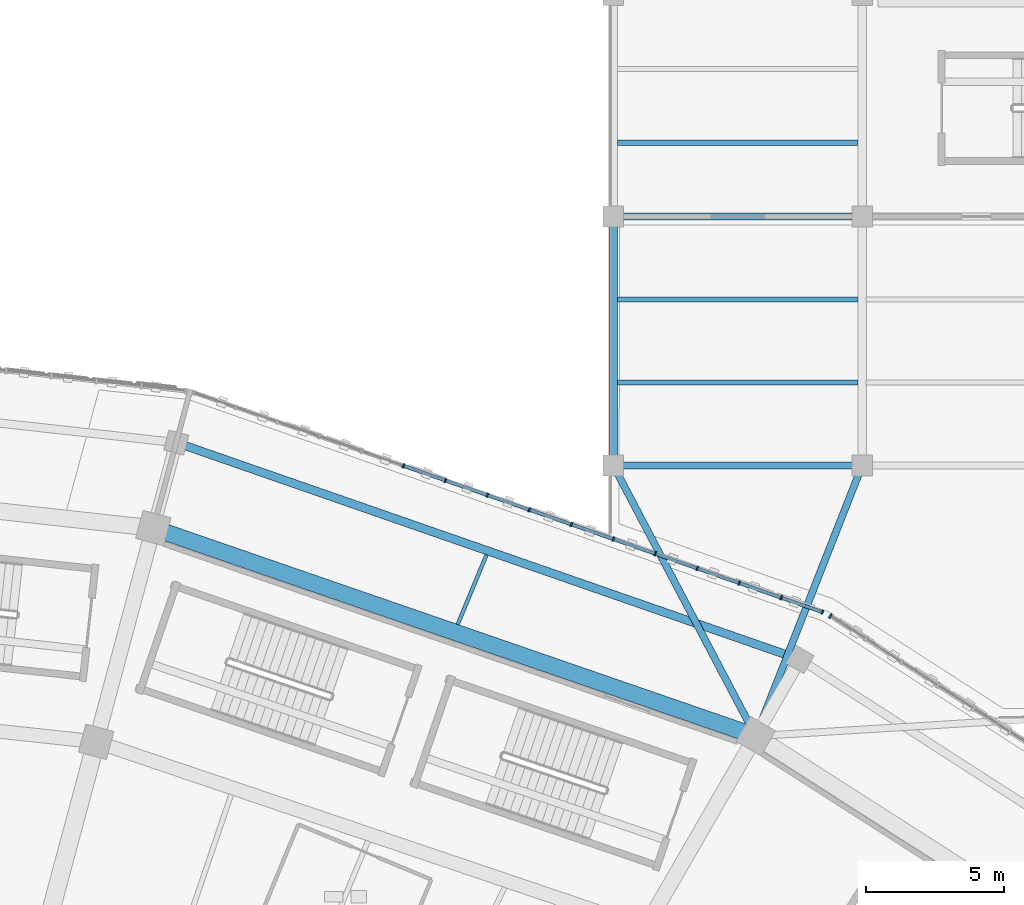
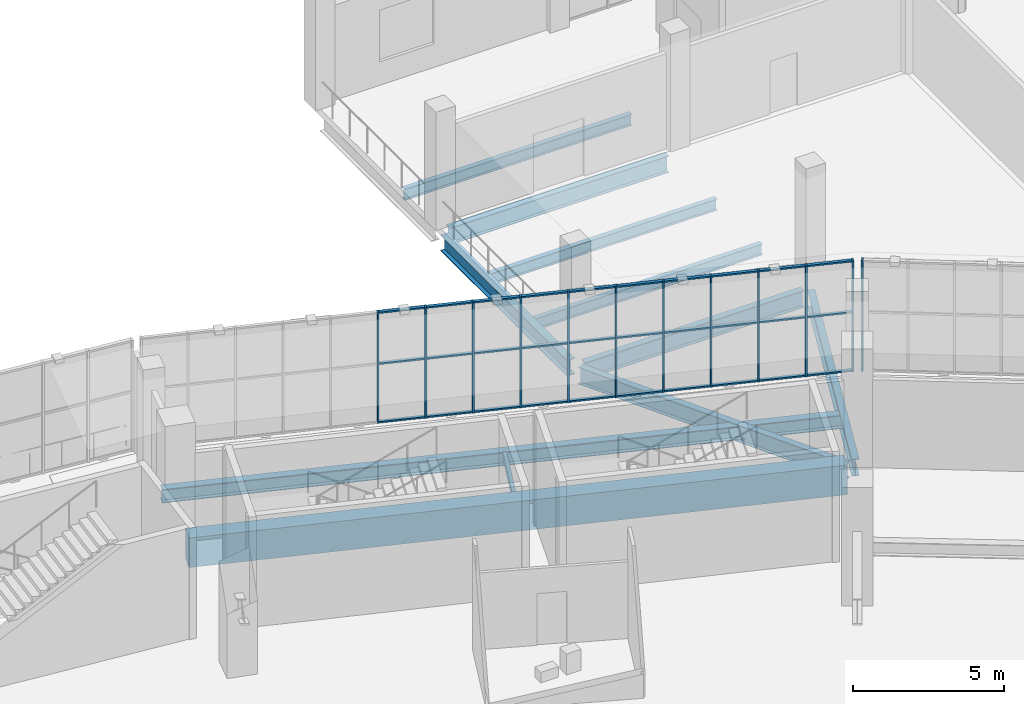
# One storey, part 68 of 179: 42 members, 11 beams, 2 elements without a shape of their own.
"""IFC4 building model written with IfcOpenShell, lengths in metres."""

from ifc_helpers import new_model, si_unit, direction, frame, origin, origin_2d, place, context, subcontext, project, spatial, rectangle, i_section, extrude, material, material_profile, profile_set, type_object, element, aggregate, save


model = new_model("IFC4")

# Units and contexts
model_context = context("Model", 3, precision=1e-05, world=origin(), true_north=direction((0.0, 1.0)))
body_context = subcontext(model_context, "Body", "Model", "MODEL_VIEW")
ifc_project = project(units=[si_unit("LENGTHUNIT", "METRE"), si_unit("AREAUNIT", "SQUARE_METRE"), si_unit("VOLUMEUNIT", "CUBIC_METRE"), si_unit("PLANEANGLEUNIT", "RADIAN"), si_unit("MASSUNIT", "GRAM", prefix="KILO")], contexts=[model_context])

# Site, building, storey
site_placement = place(None, origin())
site = spatial("IfcSite", under=ifc_project, at=site_placement, CompositionType="ELEMENT")
building_placement = place(site_placement, origin())
building = spatial("IfcBuilding", under=site, at=building_placement, Name="Zevraka Park Crest Stadium", CompositionType="ELEMENT")
storey_placement = place(building_placement, frame((0.0, 0.0, 10.199951171875)))
storey = spatial("IfcBuildingStorey", under=building, at=storey_placement, Name="L02", CompositionType="ELEMENT", Elevation=10.199951171875)

# Beams
ifc_material_1 = material(Name="Steel S355", Category="steel")
ifc_material_profile_1 = material_profile(ifc_material_1, i_section(OverallWidth=0.253662109375, OverallDepth=0.68359375, WebThickness=0.012451171875, FlangeThickness=0.01904296875, at=origin_2d()), Name="UKB 686x254x140")
ifc_profile_set_1 = profile_set([ifc_material_profile_1], Name="Steel S355")
beam_type_1 = type_object("IfcBeamType", Name="BG05", PredefinedType="BEAM", material=ifc_profile_set_1)
beam_1_placement = place(storey_placement, frame((152.300048828125, 167.0, -0.629638671875), z_axis=(1.0, 0.0, 0.0), x_axis=(0.0, 1.0, 0.0)))
element("IfcBeam", 1, at=beam_1_placement, inside=storey, type_object=beam_type_1, Name="Wing Girder BG05 L02-1718/U", PredefinedType="BEAM", context=body_context, shape_type="SweptSolid", body=[
    extrude(i_section(OverallWidth=0.253662109375, OverallDepth=0.68359375, WebThickness=0.012451171875, FlangeThickness=0.01904296875, at=origin_2d()), origin(), (0.0, 0.0, 1.0), 8.39990234375),
])
beam_2_placement = place(storey_placement, frame((152.093017578125, 166.822998046875, -0.629638671875), z_axis=(0.465623535035, -0.884982894536, 0.0), x_axis=(0.884982894536, 0.465623535035, 0.0)))
element("IfcBeam", 2, at=beam_2_placement, inside=storey, type_object=beam_type_1, Name="Wing Link Girder BG05 L02-17/U", PredefinedType="BEAM", context=body_context, shape_type="SweptSolid", body=[
    extrude(i_section(OverallWidth=0.253662109375, OverallDepth=0.68359375, WebThickness=0.012451171875, FlangeThickness=0.01904296875, at=origin_2d()), origin(), (0.0, 0.0, 1.0), 10.480224609375),
])
beam_3_placement = place(storey_placement, frame((152.300048828125, 176.0, -0.629638671875), z_axis=(1.0, 0.0, 0.0), x_axis=(0.0, 1.0, 0.0)))
element("IfcBeam", 3, at=beam_3_placement, inside=storey, type_object=beam_type_1, Name="Wing Girder BG05 L02-1718/V", PredefinedType="BEAM", context=body_context, shape_type="SweptSolid", body=[
    extrude(i_section(OverallWidth=0.253662109375, OverallDepth=0.68359375, WebThickness=0.012451171875, FlangeThickness=0.01904296875, at=origin_2d()), origin(), (0.0, 0.0, 1.0), 8.39990234375),
])
beam_4_placement = place(storey_placement, frame((160.927001953125, 166.81396484375, -0.629638671875), z_axis=(-0.366068857267, -0.930587766812, 0.0), x_axis=(0.930587766812, -0.366068857267, 0.0)))
element("IfcBeam", 4, at=beam_4_placement, inside=storey, type_object=beam_type_1, Name="Wing Link Girder BG05 L02-18/U", PredefinedType="BEAM", context=body_context, shape_type="SweptSolid", body=[
    extrude(i_section(OverallWidth=0.253662109375, OverallDepth=0.68359375, WebThickness=0.012451171875, FlangeThickness=0.01904296875, at=origin_2d()), origin(), (0.0, 0.0, 1.0), 9.937744140625),
])
ifc_material_2 = material(Name="Steel S355", Category="steel")
ifc_material_profile_2 = material_profile(ifc_material_2, i_section(OverallWidth=0.300048828125, OverallDepth=0.64990234375, WebThickness=0.01611328125, FlangeThickness=0.031005859375, at=origin_2d()), Name="HEB 650")
ifc_profile_set_2 = profile_set([ifc_material_profile_2], Name="Steel S355")
beam_type_2 = type_object("IfcBeamType", Name="BG07", PredefinedType="BEAM", material=ifc_profile_set_2)
beam_5_placement = place(storey_placement, frame((152.0, 167.300048828125, -0.613037109375), z_axis=(0.0, 1.0, 0.0), x_axis=(-1.0, 0.0, 0.0)))
element("IfcBeam", 5, at=beam_5_placement, inside=storey, type_object=beam_type_2, Name="Wing Girder BG07 L02-17/UV", PredefinedType="BEAM", context=body_context, shape_type="SweptSolid", body=[
    extrude(i_section(OverallWidth=0.300048828125, OverallDepth=0.64990234375, WebThickness=0.01611328125, FlangeThickness=0.031005859375, at=origin_2d()), origin(), (0.0, 0.0, 1.0), 8.39990234375),
])

# Curtain wall, members
ifc_material_3 = material(Name="Anodised architectural aluminium and laminated safety glass", Category="aluminium")
curtain_wall_type_1 = type_object("IfcCurtainWallType", Name="CW07", PredefinedType="NOTDEFINED", material=ifc_material_3)
curtain_wall_1_placement = place(storey_placement, origin())
curtain_wall_1 = element("IfcCurtainWall", 6, at=curtain_wall_1_placement, inside=storey, type_object=curtain_wall_type_1, Name="Unitised Ring Curtain Wall CW07 L02-04", PredefinedType="NOTDEFINED")
ifc_material_4 = material(Name="Anodised architectural aluminium", Category="aluminium")
ifc_material_profile_3 = material_profile(ifc_material_4, rectangle(XDim=0.159912109375, YDim=0.06005859375, at=origin_2d()), Name="ALU MULLION 160x60")
ifc_profile_set_3 = profile_set([ifc_material_profile_3], Name="Anodised architectural aluminium")
member_type_1 = type_object("IfcMemberType", Name="CM01", PredefinedType="MULLION", material=ifc_profile_set_3)
member_1_placement = place(storey_placement, frame((159.562744140625, 161.69580078125, 0.0), z_axis=(0.0, 0.0, 1.0), x_axis=(-0.329618886002, -0.944114076789, 0.0)))
member_1 = element("IfcMember", 7, at=member_1_placement, type_object=member_type_1, Name="CW07 mullion 1", PredefinedType="MULLION", context=body_context, shape_type="SweptSolid", body=[
    extrude(rectangle(XDim=0.159912109375, YDim=0.06005859375, at=origin_2d()), origin(), (0.0, 0.0, 1.0), 4.5),
])
member_2_placement = place(storey_placement, frame((158.0732421875, 162.2158203125, 0.0), z_axis=(0.0, 0.0, 1.0), x_axis=(-0.329618886002, -0.944114076789, 0.0)))
member_2 = element("IfcMember", 8, at=member_2_placement, type_object=member_type_1, Name="CW07 mullion 2", PredefinedType="MULLION", context=body_context, shape_type="SweptSolid", body=[
    extrude(rectangle(XDim=0.159912109375, YDim=0.06005859375, at=origin_2d()), origin(), (0.0, 0.0, 1.0), 4.5),
])
member_3_placement = place(storey_placement, frame((156.55517578125, 162.745849609375, 0.0), z_axis=(0.0, 0.0, 1.0), x_axis=(-0.329618886002, -0.944114076789, 0.0)))
member_3 = element("IfcMember", 9, at=member_3_placement, type_object=member_type_1, Name="CW07 mullion 3", PredefinedType="MULLION", context=body_context, shape_type="SweptSolid", body=[
    extrude(rectangle(XDim=0.159912109375, YDim=0.06005859375, at=origin_2d()), origin(), (0.0, 0.0, 1.0), 4.5),
])
member_4_placement = place(storey_placement, frame((155.037353515625, 163.27587890625, 0.0), z_axis=(0.0, 0.0, 1.0), x_axis=(-0.329618886002, -0.944114076789, 0.0)))
member_4 = element("IfcMember", 10, at=member_4_placement, type_object=member_type_1, Name="CW07 mullion 4", PredefinedType="MULLION", context=body_context, shape_type="SweptSolid", body=[
    extrude(rectangle(XDim=0.159912109375, YDim=0.06005859375, at=origin_2d()), origin(), (0.0, 0.0, 1.0), 4.5),
])
member_5_placement = place(storey_placement, frame((153.51953125, 163.8056640625, 0.0), z_axis=(0.0, 0.0, 1.0), x_axis=(-0.329618886002, -0.944114076789, 0.0)))
member_5 = element("IfcMember", 11, at=member_5_placement, type_object=member_type_1, Name="CW07 mullion 5", PredefinedType="MULLION", context=body_context, shape_type="SweptSolid", body=[
    extrude(rectangle(XDim=0.159912109375, YDim=0.06005859375, at=origin_2d()), origin(), (0.0, 0.0, 1.0), 4.5),
])
member_6_placement = place(storey_placement, frame((152.001708984375, 164.335693359375, 0.0), z_axis=(0.0, 0.0, 1.0), x_axis=(-0.329618886002, -0.944114076789, 0.0)))
member_6 = element("IfcMember", 12, at=member_6_placement, type_object=member_type_1, Name="CW07 mullion 6", PredefinedType="MULLION", context=body_context, shape_type="SweptSolid", body=[
    extrude(rectangle(XDim=0.159912109375, YDim=0.06005859375, at=origin_2d()), origin(), (0.0, 0.0, 1.0), 4.5),
])
member_7_placement = place(storey_placement, frame((150.48388671875, 164.865478515625, 0.0), z_axis=(0.0, 0.0, 1.0), x_axis=(-0.329618886002, -0.944114076789, 0.0)))
member_7 = element("IfcMember", 13, at=member_7_placement, type_object=member_type_1, Name="CW07 mullion 7", PredefinedType="MULLION", context=body_context, shape_type="SweptSolid", body=[
    extrude(rectangle(XDim=0.159912109375, YDim=0.06005859375, at=origin_2d()), origin(), (0.0, 0.0, 1.0), 4.5),
])
member_8_placement = place(storey_placement, frame((148.9658203125, 165.3955078125, 0.0), z_axis=(0.0, 0.0, 1.0), x_axis=(-0.329618886002, -0.944114076789, 0.0)))
member_8 = element("IfcMember", 14, at=member_8_placement, type_object=member_type_1, Name="CW07 mullion 8", PredefinedType="MULLION", context=body_context, shape_type="SweptSolid", body=[
    extrude(rectangle(XDim=0.159912109375, YDim=0.06005859375, at=origin_2d()), origin(), (0.0, 0.0, 1.0), 4.5),
])
member_9_placement = place(storey_placement, frame((147.447998046875, 165.925537109375, 0.0), z_axis=(0.0, 0.0, 1.0), x_axis=(-0.329618886002, -0.944114076789, 0.0)))
member_9 = element("IfcMember", 15, at=member_9_placement, type_object=member_type_1, Name="CW07 mullion 9", PredefinedType="MULLION", context=body_context, shape_type="SweptSolid", body=[
    extrude(rectangle(XDim=0.159912109375, YDim=0.06005859375, at=origin_2d()), origin(), (0.0, 0.0, 1.0), 4.5),
])
member_10_placement = place(storey_placement, frame((145.93017578125, 166.455322265625, 0.0), z_axis=(0.0, 0.0, 1.0), x_axis=(-0.329618886002, -0.944114076789, 0.0)))
member_10 = element("IfcMember", 16, at=member_10_placement, type_object=member_type_1, Name="CW07 mullion 10", PredefinedType="MULLION", context=body_context, shape_type="SweptSolid", body=[
    extrude(rectangle(XDim=0.159912109375, YDim=0.06005859375, at=origin_2d()), origin(), (0.0, 0.0, 1.0), 4.5),
])
member_11_placement = place(storey_placement, frame((144.412353515625, 166.9853515625, 0.0), z_axis=(0.0, 0.0, 1.0), x_axis=(-0.329618886002, -0.944114076789, 0.0)))
member_11 = element("IfcMember", 17, at=member_11_placement, type_object=member_type_1, Name="CW07 mullion 11", PredefinedType="MULLION", context=body_context, shape_type="SweptSolid", body=[
    extrude(rectangle(XDim=0.159912109375, YDim=0.06005859375, at=origin_2d()), origin(), (0.0, 0.0, 1.0), 4.5),
])

# Curtain wall, member
ifc_material_5 = material(Name="Anodised architectural aluminium and laminated safety glass", Category="aluminium")
curtain_wall_type_2 = type_object("IfcCurtainWallType", Name="CW08", PredefinedType="NOTDEFINED", material=ifc_material_5)
curtain_wall_2_placement = place(storey_placement, origin())
curtain_wall_2 = element("IfcCurtainWall", 18, at=curtain_wall_2_placement, inside=storey, type_object=curtain_wall_type_2, Name="Unitised Ring Curtain Wall CW08 L02-03", PredefinedType="NOTDEFINED")
ifc_material_6 = material(Name="Anodised architectural aluminium", Category="aluminium")
ifc_material_profile_4 = material_profile(ifc_material_6, rectangle(XDim=0.179931640625, YDim=0.06494140625, at=origin_2d()), Name="ALU MULLION 180x65")
ifc_profile_set_4 = profile_set([ifc_material_profile_4], Name="Anodised architectural aluminium")
member_type_2 = type_object("IfcMemberType", Name="CM02", PredefinedType="MULLION", material=ifc_profile_set_4)
member_12_placement = place(storey_placement, frame((159.851318359375, 161.554443359375, 0.0), z_axis=(0.0, 0.0, 1.0), x_axis=(-0.543096287444, -0.839670424967, 0.0)))
member_12 = element("IfcMember", 19, at=member_12_placement, type_object=member_type_2, Name="CW08 mullion 16", PredefinedType="MULLION", context=body_context, shape_type="SweptSolid", body=[
    extrude(rectangle(XDim=0.179931640625, YDim=0.06494140625, at=origin_2d()), origin(), (0.0, 0.0, 1.0), 4.5),
])
aggregate(curtain_wall_2, [member_12])

# Member
ifc_material_7 = material(Name="Anodised architectural aluminium", Category="aluminium")
ifc_material_profile_5 = material_profile(ifc_material_7, rectangle(XDim=0.1201171875, YDim=0.06005859375, at=origin_2d()), Name="ALU TRANSOM 120x60")
ifc_profile_set_5 = profile_set([ifc_material_profile_5], Name="Anodised architectural aluminium")
member_type_3 = type_object("IfcMemberType", Name="CT01", PredefinedType="USERDEFINED", material=ifc_profile_set_5)
member_13_placement = place(storey_placement, frame((159.534423828125, 161.705810546875, 0.030029296875), z_axis=(-0.944116383241, 0.329612279649, 0.0), x_axis=(-0.329612279649, -0.944116383241, 0.0)))
member_13 = element("IfcMember", 20, at=member_13_placement, type_object=member_type_3, Name="CW07 transom 1.1", ObjectType="TRANSOM", PredefinedType="USERDEFINED", context=body_context, shape_type="SweptSolid", body=[
    extrude(rectangle(XDim=0.1201171875, YDim=0.06005859375, at=origin_2d()), origin(), (0.0, 0.0, 1.0), 1.517578125),
])

member_14_placement = place(storey_placement, frame((159.534423828125, 161.705810546875, 2.400146484375), z_axis=(-0.944116383241, 0.329612279649, 0.0), x_axis=(-0.329612279649, -0.944116383241, 0.0)))
member_14 = element("IfcMember", 21, at=member_14_placement, type_object=member_type_3, Name="CW07 transom 1.2", ObjectType="TRANSOM", PredefinedType="USERDEFINED", context=body_context, shape_type="SweptSolid", body=[
    extrude(rectangle(XDim=0.1201171875, YDim=0.06005859375, at=origin_2d()), origin(), (0.0, 0.0, 1.0), 1.517578125),
])

member_15_placement = place(storey_placement, frame((159.534423828125, 161.705810546875, 4.469970703125), z_axis=(-0.944116383241, 0.329612279649, 0.0), x_axis=(-0.329612279649, -0.944116383241, 0.0)))
member_15 = element("IfcMember", 22, at=member_15_placement, type_object=member_type_3, Name="CW07 transom 1.3", ObjectType="TRANSOM", PredefinedType="USERDEFINED", context=body_context, shape_type="SweptSolid", body=[
    extrude(rectangle(XDim=0.1201171875, YDim=0.06005859375, at=origin_2d()), origin(), (0.0, 0.0, 1.0), 1.517578125),
])

member_16_placement = place(storey_placement, frame((158.044921875, 162.225830078125, 0.030029296875), z_axis=(-0.944108889955, 0.329633742066, 0.0), x_axis=(-0.329633742066, -0.944108889955, 0.0)))
member_16 = element("IfcMember", 23, at=member_16_placement, type_object=member_type_3, Name="CW07 transom 2.1", ObjectType="TRANSOM", PredefinedType="USERDEFINED", context=body_context, shape_type="SweptSolid", body=[
    extrude(rectangle(XDim=0.1201171875, YDim=0.06005859375, at=origin_2d()), origin(), (0.0, 0.0, 1.0), 1.5478515625),
])

member_17_placement = place(storey_placement, frame((158.044921875, 162.225830078125, 2.400146484375), z_axis=(-0.944108889955, 0.329633742066, 0.0), x_axis=(-0.329633742066, -0.944108889955, 0.0)))
member_17 = element("IfcMember", 24, at=member_17_placement, type_object=member_type_3, Name="CW07 transom 2.2", ObjectType="TRANSOM", PredefinedType="USERDEFINED", context=body_context, shape_type="SweptSolid", body=[
    extrude(rectangle(XDim=0.1201171875, YDim=0.06005859375, at=origin_2d()), origin(), (0.0, 0.0, 1.0), 1.5478515625),
])

member_18_placement = place(storey_placement, frame((158.044921875, 162.225830078125, 4.469970703125), z_axis=(-0.944108889955, 0.329633742066, 0.0), x_axis=(-0.329633742066, -0.944108889955, 0.0)))
member_18 = element("IfcMember", 25, at=member_18_placement, type_object=member_type_3, Name="CW07 transom 2.3", ObjectType="TRANSOM", PredefinedType="USERDEFINED", context=body_context, shape_type="SweptSolid", body=[
    extrude(rectangle(XDim=0.1201171875, YDim=0.06005859375, at=origin_2d()), origin(), (0.0, 0.0, 1.0), 1.5478515625),
])

member_19_placement = place(storey_placement, frame((156.52685546875, 162.755859375, 0.030029296875), z_axis=(-0.944140838297, 0.329542224094, 0.0), x_axis=(-0.329542224094, -0.944140838297, 0.0)))
member_19 = element("IfcMember", 26, at=member_19_placement, type_object=member_type_3, Name="CW07 transom 3.1", ObjectType="TRANSOM", PredefinedType="USERDEFINED", context=body_context, shape_type="SweptSolid", body=[
    extrude(rectangle(XDim=0.1201171875, YDim=0.06005859375, at=origin_2d()), origin(), (0.0, 0.0, 1.0), 1.547607421875),
])

member_20_placement = place(storey_placement, frame((156.52685546875, 162.755859375, 2.400146484375), z_axis=(-0.944140838297, 0.329542224094, 0.0), x_axis=(-0.329542224094, -0.944140838297, 0.0)))
member_20 = element("IfcMember", 27, at=member_20_placement, type_object=member_type_3, Name="CW07 transom 3.2", ObjectType="TRANSOM", PredefinedType="USERDEFINED", context=body_context, shape_type="SweptSolid", body=[
    extrude(rectangle(XDim=0.1201171875, YDim=0.06005859375, at=origin_2d()), origin(), (0.0, 0.0, 1.0), 1.547607421875),
])

member_21_placement = place(storey_placement, frame((156.52685546875, 162.755859375, 4.469970703125), z_axis=(-0.944140838297, 0.329542224094, 0.0), x_axis=(-0.329542224094, -0.944140838297, 0.0)))
member_21 = element("IfcMember", 28, at=member_21_placement, type_object=member_type_3, Name="CW07 transom 3.3", ObjectType="TRANSOM", PredefinedType="USERDEFINED", context=body_context, shape_type="SweptSolid", body=[
    extrude(rectangle(XDim=0.1201171875, YDim=0.06005859375, at=origin_2d()), origin(), (0.0, 0.0, 1.0), 1.547607421875),
])

member_22_placement = place(storey_placement, frame((155.009033203125, 163.28564453125, 0.030029296875), z_axis=(-0.944091748578, 0.329682832837, 0.0), x_axis=(-0.329682832837, -0.944091748578, 0.0)))
member_22 = element("IfcMember", 29, at=member_22_placement, type_object=member_type_3, Name="CW07 transom 4.1", ObjectType="TRANSOM", PredefinedType="USERDEFINED", context=body_context, shape_type="SweptSolid", body=[
    extrude(rectangle(XDim=0.1201171875, YDim=0.06005859375, at=origin_2d()), origin(), (0.0, 0.0, 1.0), 1.547607421875),
])

member_23_placement = place(storey_placement, frame((155.009033203125, 163.28564453125, 2.400146484375), z_axis=(-0.944091748578, 0.329682832837, 0.0), x_axis=(-0.329682832837, -0.944091748578, 0.0)))
member_23 = element("IfcMember", 30, at=member_23_placement, type_object=member_type_3, Name="CW07 transom 4.2", ObjectType="TRANSOM", PredefinedType="USERDEFINED", context=body_context, shape_type="SweptSolid", body=[
    extrude(rectangle(XDim=0.1201171875, YDim=0.06005859375, at=origin_2d()), origin(), (0.0, 0.0, 1.0), 1.547607421875),
])

member_24_placement = place(storey_placement, frame((155.009033203125, 163.28564453125, 4.469970703125), z_axis=(-0.944091748578, 0.329682832837, 0.0), x_axis=(-0.329682832837, -0.944091748578, 0.0)))
member_24 = element("IfcMember", 31, at=member_24_placement, type_object=member_type_3, Name="CW07 transom 4.3", ObjectType="TRANSOM", PredefinedType="USERDEFINED", context=body_context, shape_type="SweptSolid", body=[
    extrude(rectangle(XDim=0.1201171875, YDim=0.06005859375, at=origin_2d()), origin(), (0.0, 0.0, 1.0), 1.547607421875),
])

member_25_placement = place(storey_placement, frame((153.4912109375, 163.815673828125, 0.030029296875), z_axis=(-0.944140838297, 0.329542224094, 0.0), x_axis=(-0.329542224094, -0.944140838297, 0.0)))
member_25 = element("IfcMember", 32, at=member_25_placement, type_object=member_type_3, Name="CW07 transom 5.1", ObjectType="TRANSOM", PredefinedType="USERDEFINED", context=body_context, shape_type="SweptSolid", body=[
    extrude(rectangle(XDim=0.1201171875, YDim=0.06005859375, at=origin_2d()), origin(), (0.0, 0.0, 1.0), 1.547607421875),
])

member_26_placement = place(storey_placement, frame((153.4912109375, 163.815673828125, 2.400146484375), z_axis=(-0.944140838297, 0.329542224094, 0.0), x_axis=(-0.329542224094, -0.944140838297, 0.0)))
member_26 = element("IfcMember", 33, at=member_26_placement, type_object=member_type_3, Name="CW07 transom 5.2", ObjectType="TRANSOM", PredefinedType="USERDEFINED", context=body_context, shape_type="SweptSolid", body=[
    extrude(rectangle(XDim=0.1201171875, YDim=0.06005859375, at=origin_2d()), origin(), (0.0, 0.0, 1.0), 1.547607421875),
])

member_27_placement = place(storey_placement, frame((153.4912109375, 163.815673828125, 4.469970703125), z_axis=(-0.944140838297, 0.329542224094, 0.0), x_axis=(-0.329542224094, -0.944140838297, 0.0)))
member_27 = element("IfcMember", 34, at=member_27_placement, type_object=member_type_3, Name="CW07 transom 5.3", ObjectType="TRANSOM", PredefinedType="USERDEFINED", context=body_context, shape_type="SweptSolid", body=[
    extrude(rectangle(XDim=0.1201171875, YDim=0.06005859375, at=origin_2d()), origin(), (0.0, 0.0, 1.0), 1.547607421875),
])

member_28_placement = place(storey_placement, frame((151.973388671875, 164.345458984375, 0.030029296875), z_axis=(-0.944091748578, 0.329682832837, 0.0), x_axis=(-0.329682832837, -0.944091748578, 0.0)))
member_28 = element("IfcMember", 35, at=member_28_placement, type_object=member_type_3, Name="CW07 transom 6.1", ObjectType="TRANSOM", PredefinedType="USERDEFINED", context=body_context, shape_type="SweptSolid", body=[
    extrude(rectangle(XDim=0.1201171875, YDim=0.06005859375, at=origin_2d()), origin(), (0.0, 0.0, 1.0), 1.547607421875),
])

member_29_placement = place(storey_placement, frame((151.973388671875, 164.345458984375, 2.400146484375), z_axis=(-0.944091748578, 0.329682832837, 0.0), x_axis=(-0.329682832837, -0.944091748578, 0.0)))
member_29 = element("IfcMember", 36, at=member_29_placement, type_object=member_type_3, Name="CW07 transom 6.2", ObjectType="TRANSOM", PredefinedType="USERDEFINED", context=body_context, shape_type="SweptSolid", body=[
    extrude(rectangle(XDim=0.1201171875, YDim=0.06005859375, at=origin_2d()), origin(), (0.0, 0.0, 1.0), 1.547607421875),
])

member_30_placement = place(storey_placement, frame((151.973388671875, 164.345458984375, 4.469970703125), z_axis=(-0.944091748578, 0.329682832837, 0.0), x_axis=(-0.329682832837, -0.944091748578, 0.0)))
member_30 = element("IfcMember", 37, at=member_30_placement, type_object=member_type_3, Name="CW07 transom 6.3", ObjectType="TRANSOM", PredefinedType="USERDEFINED", context=body_context, shape_type="SweptSolid", body=[
    extrude(rectangle(XDim=0.1201171875, YDim=0.06005859375, at=origin_2d()), origin(), (0.0, 0.0, 1.0), 1.547607421875),
])

member_31_placement = place(storey_placement, frame((150.45556640625, 164.87548828125, 0.030029296875), z_axis=(-0.944108889955, 0.329633742066, 0.0), x_axis=(-0.329633742066, -0.944108889955, 0.0)))
member_31 = element("IfcMember", 38, at=member_31_placement, type_object=member_type_3, Name="CW07 transom 7.1", ObjectType="TRANSOM", PredefinedType="USERDEFINED", context=body_context, shape_type="SweptSolid", body=[
    extrude(rectangle(XDim=0.1201171875, YDim=0.06005859375, at=origin_2d()), origin(), (0.0, 0.0, 1.0), 1.5478515625),
])

member_32_placement = place(storey_placement, frame((150.45556640625, 164.87548828125, 2.400146484375), z_axis=(-0.944108889955, 0.329633742066, 0.0), x_axis=(-0.329633742066, -0.944108889955, 0.0)))
member_32 = element("IfcMember", 39, at=member_32_placement, type_object=member_type_3, Name="CW07 transom 7.2", ObjectType="TRANSOM", PredefinedType="USERDEFINED", context=body_context, shape_type="SweptSolid", body=[
    extrude(rectangle(XDim=0.1201171875, YDim=0.06005859375, at=origin_2d()), origin(), (0.0, 0.0, 1.0), 1.5478515625),
])

member_33_placement = place(storey_placement, frame((150.45556640625, 164.87548828125, 4.469970703125), z_axis=(-0.944108889955, 0.329633742066, 0.0), x_axis=(-0.329633742066, -0.944108889955, 0.0)))
member_33 = element("IfcMember", 40, at=member_33_placement, type_object=member_type_3, Name="CW07 transom 7.3", ObjectType="TRANSOM", PredefinedType="USERDEFINED", context=body_context, shape_type="SweptSolid", body=[
    extrude(rectangle(XDim=0.1201171875, YDim=0.06005859375, at=origin_2d()), origin(), (0.0, 0.0, 1.0), 1.5478515625),
])

member_34_placement = place(storey_placement, frame((148.9375, 165.405517578125, 0.030029296875), z_axis=(-0.944140838297, 0.329542224094, 0.0), x_axis=(-0.329542224094, -0.944140838297, 0.0)))
member_34 = element("IfcMember", 41, at=member_34_placement, type_object=member_type_3, Name="CW07 transom 8.1", ObjectType="TRANSOM", PredefinedType="USERDEFINED", context=body_context, shape_type="SweptSolid", body=[
    extrude(rectangle(XDim=0.1201171875, YDim=0.06005859375, at=origin_2d()), origin(), (0.0, 0.0, 1.0), 1.547607421875),
])

member_35_placement = place(storey_placement, frame((148.9375, 165.405517578125, 2.400146484375), z_axis=(-0.944140838297, 0.329542224094, 0.0), x_axis=(-0.329542224094, -0.944140838297, 0.0)))
member_35 = element("IfcMember", 42, at=member_35_placement, type_object=member_type_3, Name="CW07 transom 8.2", ObjectType="TRANSOM", PredefinedType="USERDEFINED", context=body_context, shape_type="SweptSolid", body=[
    extrude(rectangle(XDim=0.1201171875, YDim=0.06005859375, at=origin_2d()), origin(), (0.0, 0.0, 1.0), 1.547607421875),
])

member_36_placement = place(storey_placement, frame((148.9375, 165.405517578125, 4.469970703125), z_axis=(-0.944140838297, 0.329542224094, 0.0), x_axis=(-0.329542224094, -0.944140838297, 0.0)))
member_36 = element("IfcMember", 43, at=member_36_placement, type_object=member_type_3, Name="CW07 transom 8.3", ObjectType="TRANSOM", PredefinedType="USERDEFINED", context=body_context, shape_type="SweptSolid", body=[
    extrude(rectangle(XDim=0.1201171875, YDim=0.06005859375, at=origin_2d()), origin(), (0.0, 0.0, 1.0), 1.547607421875),
])

member_37_placement = place(storey_placement, frame((147.419677734375, 165.935302734375, 0.030029296875), z_axis=(-0.944091748578, 0.329682832837, 0.0), x_axis=(-0.329682832837, -0.944091748578, 0.0)))
member_37 = element("IfcMember", 44, at=member_37_placement, type_object=member_type_3, Name="CW07 transom 9.1", ObjectType="TRANSOM", PredefinedType="USERDEFINED", context=body_context, shape_type="SweptSolid", body=[
    extrude(rectangle(XDim=0.1201171875, YDim=0.06005859375, at=origin_2d()), origin(), (0.0, 0.0, 1.0), 1.547607421875),
])

member_38_placement = place(storey_placement, frame((147.419677734375, 165.935302734375, 2.400146484375), z_axis=(-0.944091748578, 0.329682832837, 0.0), x_axis=(-0.329682832837, -0.944091748578, 0.0)))
member_38 = element("IfcMember", 45, at=member_38_placement, type_object=member_type_3, Name="CW07 transom 9.2", ObjectType="TRANSOM", PredefinedType="USERDEFINED", context=body_context, shape_type="SweptSolid", body=[
    extrude(rectangle(XDim=0.1201171875, YDim=0.06005859375, at=origin_2d()), origin(), (0.0, 0.0, 1.0), 1.547607421875),
])

member_39_placement = place(storey_placement, frame((147.419677734375, 165.935302734375, 4.469970703125), z_axis=(-0.944091748578, 0.329682832837, 0.0), x_axis=(-0.329682832837, -0.944091748578, 0.0)))
member_39 = element("IfcMember", 46, at=member_39_placement, type_object=member_type_3, Name="CW07 transom 9.3", ObjectType="TRANSOM", PredefinedType="USERDEFINED", context=body_context, shape_type="SweptSolid", body=[
    extrude(rectangle(XDim=0.1201171875, YDim=0.06005859375, at=origin_2d()), origin(), (0.0, 0.0, 1.0), 1.547607421875),
])

member_40_placement = place(storey_placement, frame((145.90185546875, 166.46533203125, 0.030029296875), z_axis=(-0.944140838297, 0.329542224094, 0.0), x_axis=(-0.329542224094, -0.944140838297, 0.0)))
member_40 = element("IfcMember", 47, at=member_40_placement, type_object=member_type_3, Name="CW07 transom 10.1", ObjectType="TRANSOM", PredefinedType="USERDEFINED", context=body_context, shape_type="SweptSolid", body=[
    extrude(rectangle(XDim=0.1201171875, YDim=0.06005859375, at=origin_2d()), origin(), (0.0, 0.0, 1.0), 1.547607421875),
])

member_41_placement = place(storey_placement, frame((145.90185546875, 166.46533203125, 2.400146484375), z_axis=(-0.944140838297, 0.329542224094, 0.0), x_axis=(-0.329542224094, -0.944140838297, 0.0)))
member_41 = element("IfcMember", 48, at=member_41_placement, type_object=member_type_3, Name="CW07 transom 10.2", ObjectType="TRANSOM", PredefinedType="USERDEFINED", context=body_context, shape_type="SweptSolid", body=[
    extrude(rectangle(XDim=0.1201171875, YDim=0.06005859375, at=origin_2d()), origin(), (0.0, 0.0, 1.0), 1.547607421875),
])

member_42_placement = place(storey_placement, frame((145.90185546875, 166.46533203125, 4.469970703125), z_axis=(-0.944140838297, 0.329542224094, 0.0), x_axis=(-0.329542224094, -0.944140838297, 0.0)))
member_42 = element("IfcMember", 49, at=member_42_placement, type_object=member_type_3, Name="CW07 transom 10.3", ObjectType="TRANSOM", PredefinedType="USERDEFINED", context=body_context, shape_type="SweptSolid", body=[
    extrude(rectangle(XDim=0.1201171875, YDim=0.06005859375, at=origin_2d()), origin(), (0.0, 0.0, 1.0), 1.547607421875),
])

aggregate(curtain_wall_1, [member_1, member_2, member_3, member_4, member_5, member_6, member_7, member_8, member_9, member_10, member_11, member_13, member_14, member_15, member_16, member_17, member_18, member_19, member_20, member_21, member_22, member_23, member_24, member_25, member_26, member_27, member_28, member_29, member_30, member_31, member_32, member_33, member_34, member_35, member_36, member_37, member_38, member_39, member_40, member_41, member_42])

# Beams
ifc_material_8 = material(Name="Concrete C40/50", Category="concrete")
ifc_material_profile_6 = material_profile(ifc_material_8, rectangle(XDim=0.60009765625, YDim=1.199951171875, at=origin_2d()), Name="RC 1200x600")
ifc_profile_set_6 = profile_set([ifc_material_profile_6], Name="Concrete C40/50")
beam_type_3 = type_object("IfcBeamType", Name="RB01", PredefinedType="BEAM", material=ifc_profile_set_6)
beam_6_placement = place(storey_placement, frame((156.791015625, 157.3359375, -0.60986328125), z_axis=(-0.945210431582, 0.326461697644, 0.0), x_axis=(-0.326461697644, -0.945210431582, 0.0)))
element("IfcBeam", 50, at=beam_6_placement, inside=storey, type_object=beam_type_3, Name="Ring Beam RB01 L02-D-04", PredefinedType="BEAM", context=body_context, shape_type="SweptSolid", body=[
    extrude(rectangle(XDim=0.60009765625, YDim=1.199951171875, at=origin_2d()), origin(), (0.0, 0.0, 1.0), 22.28173828125),
])
ifc_material_9 = material(Name="Steel S355", Category="steel")
ifc_material_profile_7 = material_profile(ifc_material_9, i_section(OverallWidth=0.300048828125, OverallDepth=0.550048828125, WebThickness=0.014892578125, FlangeThickness=0.029052734375, at=origin_2d()), Name="HEB 550")
ifc_profile_set_7 = profile_set([ifc_material_profile_7], Name="Steel S355")
beam_type_4 = type_object("IfcBeamType", Name="RB04", PredefinedType="BEAM", material=ifc_profile_set_7)
beam_7_placement = place(storey_placement, frame((158.4189453125, 160.097900390625, -0.5849609375), z_axis=(-0.944512003331, 0.328476902634, 0.0), x_axis=(-0.328476902634, -0.944512003331, 0.0)))
element("IfcBeam", 51, at=beam_7_placement, inside=storey, type_object=beam_type_4, Name="Ring Beam RB04 L02-E-04", PredefinedType="BEAM", context=body_context, shape_type="SweptSolid", body=[
    extrude(i_section(OverallWidth=0.300048828125, OverallDepth=0.550048828125, WebThickness=0.014892578125, FlangeThickness=0.029052734375, at=origin_2d()), origin(), (0.0, 0.0, 1.0), 23.173828125),
])
ifc_material_10 = material(Name="Steel S355", Category="steel")
ifc_material_profile_8 = material_profile(ifc_material_10, i_section(OverallWidth=0.135009765625, OverallDepth=0.27001953125, WebThickness=0.006591796875, FlangeThickness=0.01025390625, at=origin_2d()), Name="IPE 270")
ifc_profile_set_8 = profile_set([ifc_material_profile_8], Name="Steel S355")
beam_type_5 = type_object("IfcBeamType", Name="SJ07", PredefinedType="JOIST", material=ifc_profile_set_8)
beam_8_placement = place(storey_placement, frame((146.373046875, 161.24609375, -0.4228515625), z_axis=(0.3828253139, 0.923820750491, 0.0), x_axis=(-0.923820750491, 0.3828253139, 0.0)))
element("IfcBeam", 52, at=beam_8_placement, inside=storey, type_object=beam_type_5, Name="Floor Joist SJ07 L02-DE-04-1", PredefinedType="JOIST", context=body_context, shape_type="SweptSolid", body=[
    extrude(i_section(OverallWidth=0.135009765625, OverallDepth=0.27001953125, WebThickness=0.006591796875, FlangeThickness=0.01025390625, at=origin_2d()), origin(), (0.0, 0.0, 1.0), 2.73193359375),
])
ifc_material_11 = material(Name="Steel S355", Category="steel")
ifc_material_profile_9 = material_profile(ifc_material_11, i_section(OverallWidth=0.18994140625, OverallDepth=0.45703125, WebThickness=0.009033203125, FlangeThickness=0.014404296875, at=origin_2d()), Name="UKB 457x191x74")
ifc_profile_set_9 = profile_set([ifc_material_profile_9], Name="Steel S355")
beam_type_6 = type_object("IfcBeamType", Name="SJ12", PredefinedType="JOIST", material=ifc_profile_set_9)
for number, where, z_axis, x_axis, name in (
    (53, (152.14501953125, 170.0, -0.5185546875), (1.0, 0.0, 0.0), (0.0, 1.0, 0.0), "Wing Joist SJ12 L02-17/U-1"),
    (54, (152.14501953125, 173.0, -0.5185546875), (1.0, 0.0, 0.0), (0.0, 1.0, 0.0), "Wing Joist SJ12 L02-17/U-2"),
    (55, (152.14501953125, 178.6669921875, -0.5185546875), (1.0, 0.0, 0.0), (0.0, 1.0, 0.0), "Wing Joist SJ12 L02-17/V-1"),
):
    element("IfcBeam", number, at=place(storey_placement, frame(where, z_axis=z_axis, x_axis=x_axis)), inside=storey, type_object=beam_type_6, Name=name, PredefinedType="JOIST", context=body_context, shape_type="SweptSolid", body=[
        extrude(i_section(OverallWidth=0.18994140625, OverallDepth=0.45703125, WebThickness=0.009033203125, FlangeThickness=0.014404296875, at=origin_2d()), origin(), (0.0, 0.0, 1.0), 8.7099609375),
    ])

save(model, "model.ifc")
